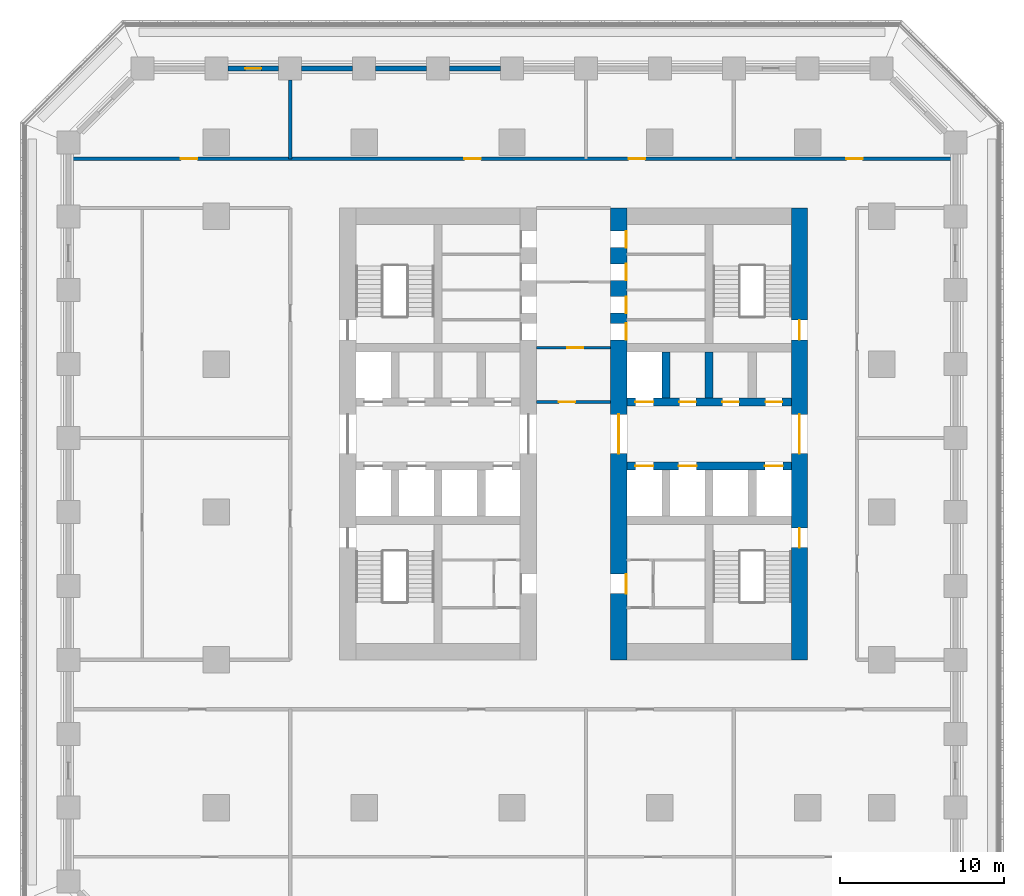
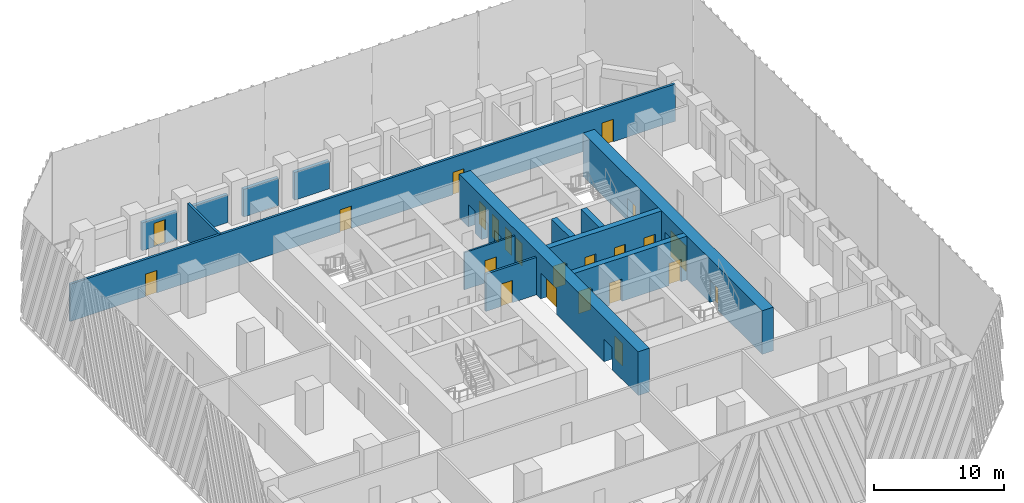
# One storey, part 5 of 12: 23 doors, 14 walls, 23 openings.
"""IFC4 building model written with IfcOpenShell, lengths in metres."""

import ifcopenshell
import ifcopenshell.guid

model = None  # the IFC model being written
_history = None  # IfcOwnerHistory: only IFC2X3 demands one
_inside = {}  # id of a spatial element -> (the spatial element, [elements in it])
_under = {}  # id of a project, library or spatial element -> (it, [spatial elements below it])
_declared = {}  # id of a project -> (the project, [libraries it declares])
_typed = {}  # id of a type object -> (the type object, [elements of that type])
_made_of = {}  # id of a material, layer set ... -> (it, [elements and type objects made of it])


def new_model(schema):
    """Start an empty IFC model of exactly this schema.

    Asked for "IFC4X3", IfcOpenShell would pick the latest addendum, in which some entities
    have other attributes; the version numbers below select the first issue.
    IFC2X3 requires an IfcOwnerHistory on every rooted entity: one is made here for all.
    """
    global model, _history
    if schema == "IFC4X3":
        model = ifcopenshell.file(schema_version=(4, 3, 0, 0))
    else:
        model = ifcopenshell.file(schema=schema)
    _inside.clear()
    _under.clear()
    _declared.clear()
    _typed.clear()
    _made_of.clear()
    _history = None
    if model.schema == "IFC2X3":
        org = make("IfcOrganization", Name="unknown")
        user = make(
            "IfcPersonAndOrganization",
            ThePerson=make("IfcPerson", FamilyName="unknown"),
            TheOrganization=org,
        )
        app = make(
            "IfcApplication",
            ApplicationDeveloper=org,
            Version="unknown",
            ApplicationFullName="unknown",
            ApplicationIdentifier="unknown",
        )
        _history = make(
            "IfcOwnerHistory",
            OwningUser=user,
            OwningApplication=app,
            ChangeAction="ADDED",
            CreationDate=0,
        )
    return model


def make(cls, **values):
    """One entity of the class cls with the attributes given. An attribute that is None is left unset."""
    return model.create_entity(
        cls, **{name: value for name, value in values.items() if value is not None}
    )


def rooted(cls, **values):
    """An entity with a GlobalId (a new one), such as an element, a storey or a relation."""
    return make(cls, GlobalId=ifcopenshell.guid.new(), OwnerHistory=_history, **values)


def si_unit(unit_type, name, prefix=None):
    """IfcSIUnit, for example si_unit("LENGTHUNIT", "METRE", prefix="MILLI")."""
    return make("IfcSIUnit", UnitType=unit_type, Prefix=prefix, Name=name)


def assignment(units):
    """IfcUnitAssignment: the units of a project."""
    return None if units is None else make("IfcUnitAssignment", Units=units)


def point(xyz):
    """IfcCartesianPoint."""
    return None if xyz is None else make("IfcCartesianPoint", Coordinates=xyz)


def direction(xyz):
    """IfcDirection."""
    return None if xyz is None else make("IfcDirection", DirectionRatios=xyz)


def frame(location, z_axis=None, x_axis=None):
    """IfcAxis2Placement3D, a coordinate frame: its origin and axes. An axis left out is left unset."""
    return make(
        "IfcAxis2Placement3D",
        Location=point(location),
        Axis=direction(z_axis),
        RefDirection=direction(x_axis),
    )


def frame_2d(location, x_axis=None):
    """IfcAxis2Placement2D, a coordinate frame in the plane: its origin and x axis."""
    return make(
        "IfcAxis2Placement2D", Location=point(location), RefDirection=direction(x_axis)
    )


def origin():
    """The frame at (0, 0, 0) with its axes left unset."""
    return frame((0.0, 0.0, 0.0))


def place(relative_to, where):
    """IfcLocalPlacement: puts the frame where relative to a parent placement (None: the world)."""
    return make(
        "IfcLocalPlacement", PlacementRelTo=relative_to, RelativePlacement=where
    )


def context(
    kind, dimensions, precision=None, world=None, true_north=None, identifier=None
):
    """IfcGeometricRepresentationContext, for example the 3D "Model" context."""
    return make(
        "IfcGeometricRepresentationContext",
        ContextIdentifier=identifier,
        ContextType=kind,
        CoordinateSpaceDimension=dimensions,
        Precision=precision,
        WorldCoordinateSystem=world,
        TrueNorth=true_north,
    )


def subcontext(parent, identifier, kind, view, scale=None):
    """IfcGeometricRepresentationSubContext, for example "Body" below "Model"."""
    return make(
        "IfcGeometricRepresentationSubContext",
        ContextIdentifier=identifier,
        ContextType=kind,
        ParentContext=parent,
        TargetScale=scale,
        TargetView=view,
    )


def project(units=None, contexts=None):
    """IfcProject with its units and contexts."""
    return rooted(
        "IfcProject",
        Name="project",
        RepresentationContexts=contexts,
        UnitsInContext=assignment(units),
    )


def spatial(cls, under=None, at=None, **own):
    """A site, building, storey or space (cls), placed at a placement, below another one or the project."""
    s = rooted(cls, ObjectPlacement=at, **own)
    if under is not None:
        _under.setdefault(under.id(), (under, []))[1].append(s)
    return s


def profile(cls, at=None, kind="AREA", **sizes):
    """A parametric profile (cls). Its sizes go by their IFC names, for example OverallWidth=200.0."""
    return make(cls, ProfileType=kind, Position=at, **sizes)


def rectangle(**sizes):
    """IfcRectangleProfileDef."""
    return profile("IfcRectangleProfileDef", **sizes)


def extrude(swept, where, along, depth):
    """IfcExtrudedAreaSolid: the profile swept, set in the frame where, extruded along a direction by depth."""
    return make(
        "IfcExtrudedAreaSolid",
        SweptArea=swept,
        Position=where,
        ExtrudedDirection=direction(along),
        Depth=depth,
    )


def shape(context_of_items, identifier, shape_type, items):
    """IfcShapeRepresentation: the items that make up one representation, for example the "Body"."""
    return make(
        "IfcShapeRepresentation",
        ContextOfItems=context_of_items,
        RepresentationIdentifier=identifier,
        RepresentationType=shape_type,
        Items=items,
    )


def material(Name=None, Category=None):
    """IfcMaterial."""
    return make("IfcMaterial", Name=Name, Category=Category)


def layer(
    of_material, thickness, ventilated=None, Name=None, Category=None, Priority=None
):
    """IfcMaterialLayer: one layer of a wall or slab, of a material (None: an air gap)."""
    return make(
        "IfcMaterialLayer",
        Material=of_material,
        LayerThickness=thickness,
        IsVentilated=ventilated,
        Name=Name,
        Category=Category,
        Priority=Priority,
    )


def layer_set(layers, Name=None):
    """IfcMaterialLayerSet."""
    return make("IfcMaterialLayerSet", MaterialLayers=layers, LayerSetName=Name)


def made_of(thing, what):
    """Note that an element or type object is made of a material, layer set ...; save() writes the relation."""
    if what is not None:
        _made_of.setdefault(what.id(), (what, []))[1].append(thing)
    return thing


def type_object(cls, material=None, **own):
    """A type object (cls), such as IfcWallType, which elements share."""
    return made_of(rooted(cls, **own), material)


def element(
    cls,
    number,
    at=None,
    inside=None,
    cuts=None,
    type_object=None,
    material=None,
    context=None,
    identifier="Body",
    shape_type=None,
    held_by="IfcProductDefinitionShape",
    body=None,
    shapes=None,
    **own,
):
    """One element of the class cls, such as IfcWall. Its Tag is "e" and its number.

    at: its placement. inside: the storey or other place that contains it. cuts: it is an
    opening in that element (IfcRelVoidsElement). A single representation is given by context,
    identifier, shape_type and body (its items); several are given by shapes. held_by: the class
    of the entity that holds the representations. save() writes the other relations.
    """
    e = rooted(cls, Tag="e%d" % number, ObjectPlacement=at, **own)
    if body is not None:
        shapes = [shape(context, identifier, shape_type, body)]
    if shapes is not None:
        e.Representation = make(held_by, Representations=shapes)
    if inside is not None:
        _inside.setdefault(inside.id(), (inside, []))[1].append(e)
    if cuts is not None:
        rooted(
            "IfcRelVoidsElement", RelatingBuildingElement=cuts, RelatedOpeningElement=e
        )
    if type_object is not None:
        _typed.setdefault(type_object.id(), (type_object, []))[1].append(e)
    return made_of(e, material)


def fill(opening, filler):
    """IfcRelFillsElement: the door or window that sits in an opening."""
    return rooted(
        "IfcRelFillsElement",
        RelatingOpeningElement=opening,
        RelatedBuildingElement=filler,
    )


def aggregate(whole, parts):
    """IfcRelAggregates: a whole, such as a stair, and the parts it consists of."""
    return rooted("IfcRelAggregates", RelatingObject=whole, RelatedObjects=parts)


def save(model, path):
    """Write the relations noted so far, then the file.

    IfcRelAggregates (storeys below a building ...), IfcRelContainedInSpatialStructure (elements
    in a storey), IfcRelDefinesByType, IfcRelAssociatesMaterial and IfcRelDeclares: one each for
    every whole, place, type object, material and project.
    """
    for whole, parts in _under.values():
        aggregate(whole, parts)
    for where, things in _inside.values():
        rooted(
            "IfcRelContainedInSpatialStructure",
            RelatedElements=things,
            RelatingStructure=where,
        )
    for kind, things in _typed.values():
        rooted("IfcRelDefinesByType", RelatedObjects=things, RelatingType=kind)
    for what, things in _made_of.values():
        rooted("IfcRelAssociatesMaterial", RelatedObjects=things, RelatingMaterial=what)
    for by, libraries in _declared.values():
        rooted("IfcRelDeclares", RelatingContext=by, RelatedDefinitions=libraries)
    model.write(path)


model = new_model("IFC4")

# Units and contexts
model_context = context("Model", 3, precision=1e-05, world=origin(), true_north=direction((0.0, 1.0)))
body_context = subcontext(model_context, "Body", "Model", "MODEL_VIEW")
ifc_project = project(units=[si_unit("LENGTHUNIT", "METRE"), si_unit("AREAUNIT", "SQUARE_METRE"), si_unit("VOLUMEUNIT", "CUBIC_METRE"), si_unit("PLANEANGLEUNIT", "RADIAN"), si_unit("MASSUNIT", "GRAM", prefix="KILO")], contexts=[model_context])

# Site, building, storey
site_placement = place(None, origin())
site = spatial("IfcSite", under=ifc_project, at=site_placement, CompositionType="ELEMENT")
building_placement = place(site_placement, origin())
building = spatial("IfcBuilding", under=site, at=building_placement, Name="Corbel Stack Research Tower", CompositionType="ELEMENT")
storey_placement = place(building_placement, frame((0.0, 0.0, 31.800048828125)))
storey = spatial("IfcBuildingStorey", under=building, at=storey_placement, Name="L07", CompositionType="ELEMENT", Elevation=31.800048828125)

# Wall, openings, doors
ifc_material_1 = material(Name="Concrete C70/85", Category="concrete")
ifc_layer_1 = layer(ifc_material_1, 1.0)
ifc_layer_set_1 = layer_set([ifc_layer_1], Name="Concrete C70/85")
wall_type_1 = type_object("IfcWallType", Name="CW-1000-70", PredefinedType="SHEAR", material=ifc_layer_set_1)
wall_1_placement = place(storey_placement, frame((6.5, -9.0, 0.0), z_axis=(0.0, 0.0, 1.0), x_axis=(0.0, 1.0, 0.0)))
wall_1 = element("IfcWall", 1, at=wall_1_placement, inside=storey, type_object=wall_type_1, Name="East core wall, west face L07", PredefinedType="SHEAR", context=body_context, shape_type="SweptSolid", body=[
    extrude(rectangle(XDim=27.5, YDim=1.0, at=frame_2d((13.75, 0.0))), origin(), (0.0, 0.0, 1.0), 4.099853515625),
])
opening_1_placement = place(wall_1_placement, frame((12.550048828125, 0.0, 0.0)))
opening_1 = element("IfcOpeningElement", 2, at=opening_1_placement, cuts=wall_1, Name="Opening CD-E-W", PredefinedType="OPENING", context=body_context, shape_type="SweptSolid", body=[
    extrude(rectangle(XDim=2.39990234375, YDim=2.39990234375, at=frame_2d((1.199951171875, 1.199951171875))), frame((0.0, 0.510009765625, 0.0), z_axis=(0.0, -1.0, 0.0), x_axis=(1.0, 0.0, 0.0)), (0.0, 0.0, 1.0), 1.02001953125),
])
opening_2_placement = place(wall_1_placement, frame((4.02490234375, 0.0, 0.0)))
opening_2 = element("IfcOpeningElement", 3, at=opening_2_placement, cuts=wall_1, Name="Opening CR-E36-W1-1200", PredefinedType="OPENING", context=body_context, shape_type="SweptSolid", body=[
    extrude(rectangle(XDim=1.199951171875, YDim=2.10009765625, at=frame_2d((0.60009765625, 1.050048828125))), frame((0.0, 0.510009765625, 0.0), z_axis=(0.0, -1.0, 0.0), x_axis=(1.0, 0.0, 0.0)), (0.0, 0.0, 1.0), 1.02001953125),
])
opening_3_placement = place(wall_1_placement, frame((19.47509765625, 0.0, 0.0)))
opening_3 = element("IfcOpeningElement", 4, at=opening_3_placement, cuts=wall_1, Name="Opening CR-E36-R1-1000", PredefinedType="OPENING", context=body_context, shape_type="SweptSolid", body=[
    extrude(rectangle(XDim=1.0, YDim=2.10009765625, at=frame_2d((0.5, 1.050048828125))), frame((0.0, 0.510009765625, 0.0), z_axis=(0.0, -1.0, 0.0), x_axis=(1.0, 0.0, 0.0)), (0.0, 0.0, 1.0), 1.02001953125),
])
opening_4_placement = place(wall_1_placement, frame((21.106201171875, 0.0, 0.0)))
opening_4 = element("IfcOpeningElement", 5, at=opening_4_placement, cuts=wall_1, Name="Opening CR-E36-R2-1000", PredefinedType="OPENING", context=body_context, shape_type="SweptSolid", body=[
    extrude(rectangle(XDim=1.0, YDim=2.10009765625, at=frame_2d((0.5, 1.050048828125))), frame((0.0, 0.510009765625, 0.0), z_axis=(0.0, -1.0, 0.0), x_axis=(1.0, 0.0, 0.0)), (0.0, 0.0, 1.0), 1.02001953125),
])
opening_5_placement = place(wall_1_placement, frame((23.10009765625, 0.0, 0.0)))
opening_5 = element("IfcOpeningElement", 6, at=opening_5_placement, cuts=wall_1, Name="Opening CR-E36-R3-1000", PredefinedType="OPENING", context=body_context, shape_type="SweptSolid", body=[
    extrude(rectangle(XDim=1.0, YDim=2.10009765625, at=frame_2d((0.5, 1.050048828125))), frame((0.0, 0.510009765625, 0.0), z_axis=(0.0, -1.0, 0.0), x_axis=(1.0, 0.0, 0.0)), (0.0, 0.0, 1.0), 1.02001953125),
])
opening_6_placement = place(wall_1_placement, frame((25.09375, 0.0, 0.0)))
opening_6 = element("IfcOpeningElement", 7, at=opening_6_placement, cuts=wall_1, Name="Opening CR-E36-R4-1000", PredefinedType="OPENING", context=body_context, shape_type="SweptSolid", body=[
    extrude(rectangle(XDim=1.0, YDim=2.10009765625, at=frame_2d((0.5, 1.050048828125))), frame((0.0, 0.510009765625, 0.0), z_axis=(0.0, -1.0, 0.0), x_axis=(1.0, 0.0, 0.0)), (0.0, 0.0, 1.0), 1.02001953125),
])
ifc_material_2 = material(Name="Painted steel fire door", Category="steel")
door_type_1 = type_object("IfcDoorType", Name="Lobby door pair 2400 x 2400 FD30S", OperationType="DOUBLE_DOOR_DOUBLE_SWING", PredefinedType="DOOR", material=ifc_material_2)
door_1_placement = place(opening_1_placement, origin())
door_1 = element("IfcDoor", 8, at=door_1_placement, inside=storey, type_object=door_type_1, Name="Lift lobby door E core W", OperationType="DOUBLE_DOOR_DOUBLE_SWING", OverallHeight=2.39990234375, OverallWidth=2.39990234375, PredefinedType="DOOR", context=body_context, shape_type="SweptSolid", body=[
    extrude(rectangle(XDim=2.39990234375, YDim=2.39990234375, at=frame_2d((1.199951171875, 1.199951171875))), frame((0.0, 0.02490234375, 0.0), z_axis=(0.0, -1.0, 0.0), x_axis=(1.0, 0.0, 0.0)), (0.0, 0.0, 1.0), 0.050048828125),
])
fill(opening_1, door_1)
ifc_material_3 = material(Name="Painted steel door", Category="steel")
door_type_2 = type_object("IfcDoorType", Name="Riser door 1000 x 2100 FD60 left hand", OperationType="SINGLE_SWING_LEFT", PredefinedType="DOOR", material=ifc_material_3)
door_2_placement = place(opening_4_placement, origin())
door_2 = element("IfcDoor", 9, at=door_2_placement, inside=storey, type_object=door_type_2, Name="Telecom room door E core", OperationType="SINGLE_SWING_LEFT", OverallHeight=2.10009765625, OverallWidth=1.0, PredefinedType="DOOR", context=body_context, shape_type="SweptSolid", body=[
    extrude(rectangle(XDim=1.0, YDim=2.10009765625, at=frame_2d((0.5, 1.050048828125))), frame((0.0, -0.4248046875, 0.0), z_axis=(0.0, -1.0, 0.0), x_axis=(1.0, 0.0, 0.0)), (0.0, 0.0, 1.0), 0.050048828125),
])
fill(opening_4, door_2)
ifc_material_4 = material(Name="Painted steel door", Category="steel")
door_type_3 = type_object("IfcDoorType", Name="Riser door 1000 x 2100 FD60 right hand", OperationType="SINGLE_SWING_RIGHT", PredefinedType="DOOR", material=ifc_material_4)
door_3_placement = place(opening_3_placement, origin())
door_3 = element("IfcDoor", 10, at=door_3_placement, inside=storey, type_object=door_type_3, Name="Electrical riser door E core", OperationType="SINGLE_SWING_RIGHT", OverallHeight=2.10009765625, OverallWidth=1.0, PredefinedType="DOOR", context=body_context, shape_type="SweptSolid", body=[
    extrude(rectangle(XDim=1.0, YDim=2.10009765625, at=frame_2d((0.5, 1.050048828125))), frame((0.0, -0.4248046875, 0.0), z_axis=(0.0, -1.0, 0.0), x_axis=(1.0, 0.0, 0.0)), (0.0, 0.0, 1.0), 0.050048828125),
])
fill(opening_3, door_3)
ifc_material_5 = material(Name="Painted steel door", Category="steel")
door_type_4 = type_object("IfcDoorType", Name="Service door 1000 x 2100 FD30 left hand", OperationType="SINGLE_SWING_LEFT", PredefinedType="DOOR", material=ifc_material_5)
door_4_placement = place(opening_6_placement, origin())
door_4 = element("IfcDoor", 11, at=door_4_placement, inside=storey, type_object=door_type_4, Name="Cleaner's store door E core", OperationType="SINGLE_SWING_LEFT", OverallHeight=2.10009765625, OverallWidth=1.0, PredefinedType="DOOR", context=body_context, shape_type="SweptSolid", body=[
    extrude(rectangle(XDim=1.0, YDim=2.10009765625, at=frame_2d((0.5, 1.050048828125))), frame((0.0, -0.4248046875, 0.0), z_axis=(0.0, -1.0, 0.0), x_axis=(1.0, 0.0, 0.0)), (0.0, 0.0, 1.0), 0.050048828125),
])
fill(opening_6, door_4)
ifc_material_6 = material(Name="Painted steel door", Category="steel")
door_type_5 = type_object("IfcDoorType", Name="Service door 1000 x 2100 FD30 right hand", OperationType="SINGLE_SWING_RIGHT", PredefinedType="DOOR", material=ifc_material_6)
door_5_placement = place(opening_5_placement, origin())
door_5 = element("IfcDoor", 12, at=door_5_placement, inside=storey, type_object=door_type_5, Name="Pantry door E core", OperationType="SINGLE_SWING_RIGHT", OverallHeight=2.10009765625, OverallWidth=1.0, PredefinedType="DOOR", context=body_context, shape_type="SweptSolid", body=[
    extrude(rectangle(XDim=1.0, YDim=2.10009765625, at=frame_2d((0.5, 1.050048828125))), frame((0.0, -0.4248046875, 0.0), z_axis=(0.0, -1.0, 0.0), x_axis=(1.0, 0.0, 0.0)), (0.0, 0.0, 1.0), 0.050048828125),
])
fill(opening_5, door_5)
ifc_material_7 = material(Name="Painted timber door", Category="wood")
door_type_6 = type_object("IfcDoorType", Name="WC door 1200 x 2100 right hand", OperationType="SINGLE_SWING_RIGHT", PredefinedType="DOOR", material=ifc_material_7)
door_6_placement = place(opening_2_placement, origin())
door_6 = element("IfcDoor", 13, at=door_6_placement, inside=storey, type_object=door_type_6, Name="WC lobby door E core", OperationType="SINGLE_SWING_RIGHT", OverallHeight=2.10009765625, OverallWidth=1.199951171875, PredefinedType="DOOR", context=body_context, shape_type="SweptSolid", body=[
    extrude(rectangle(XDim=1.199951171875, YDim=2.10009765625, at=frame_2d((0.60009765625, 1.050048828125))), frame((0.0, -0.4248046875, 0.0), z_axis=(0.0, -1.0, 0.0), x_axis=(1.0, 0.0, 0.0)), (0.0, 0.0, 1.0), 0.050048828125),
])
fill(opening_2, door_6)

wall_2_placement = place(storey_placement, frame((17.5, -9.0, 0.0), z_axis=(0.0, 0.0, 1.0), x_axis=(0.0, 1.0, 0.0)))
wall_2 = element("IfcWall", 14, at=wall_2_placement, inside=storey, type_object=wall_type_1, Name="East core wall, east face L07", PredefinedType="SHEAR", context=body_context, shape_type="SweptSolid", body=[
    extrude(rectangle(XDim=27.5, YDim=1.0, at=frame_2d((13.75, 0.0))), origin(), (0.0, 0.0, 1.0), 4.099853515625),
])
opening_7_placement = place(wall_2_placement, frame((12.550048828125, 0.0, 0.0)))
opening_7 = element("IfcOpeningElement", 15, at=opening_7_placement, cuts=wall_2, Name="Opening CD-E-E", PredefinedType="OPENING", context=body_context, shape_type="SweptSolid", body=[
    extrude(rectangle(XDim=2.39990234375, YDim=2.39990234375, at=frame_2d((1.199951171875, 1.199951171875))), frame((0.0, 0.510009765625, 0.0), z_axis=(0.0, -1.0, 0.0), x_axis=(1.0, 0.0, 0.0)), (0.0, 0.0, 1.0), 1.02001953125),
])
opening_8_placement = place(wall_2_placement, frame((6.824951171875, 0.0, 0.0)))
opening_8 = element("IfcOpeningElement", 16, at=opening_8_placement, cuts=wall_2, Name="Opening SD-ST-E1", PredefinedType="OPENING", context=body_context, shape_type="SweptSolid", body=[
    extrude(rectangle(XDim=1.199951171875, YDim=2.10009765625, at=frame_2d((0.60009765625, 1.050048828125))), frame((0.0, 0.510009765625, 0.0), z_axis=(0.0, -1.0, 0.0), x_axis=(1.0, 0.0, 0.0)), (0.0, 0.0, 1.0), 1.02001953125),
])
opening_9_placement = place(wall_2_placement, frame((19.47509765625, 0.0, 0.0)))
opening_9 = element("IfcOpeningElement", 17, at=opening_9_placement, cuts=wall_2, Name="Opening SD-ST-E2", PredefinedType="OPENING", context=body_context, shape_type="SweptSolid", body=[
    extrude(rectangle(XDim=1.199951171875, YDim=2.10009765625, at=frame_2d((0.60009765625, 1.050048828125))), frame((0.0, 0.510009765625, 0.0), z_axis=(0.0, -1.0, 0.0), x_axis=(1.0, 0.0, 0.0)), (0.0, 0.0, 1.0), 1.02001953125),
])
door_7_placement = place(opening_7_placement, origin())
door_7 = element("IfcDoor", 18, at=door_7_placement, inside=storey, type_object=door_type_1, Name="Lift lobby door E core E", OperationType="DOUBLE_DOOR_DOUBLE_SWING", OverallHeight=2.39990234375, OverallWidth=2.39990234375, PredefinedType="DOOR", context=body_context, shape_type="SweptSolid", body=[
    extrude(rectangle(XDim=2.39990234375, YDim=2.39990234375, at=frame_2d((1.199951171875, 1.199951171875))), frame((0.0, 0.02490234375, 0.0), z_axis=(0.0, -1.0, 0.0), x_axis=(1.0, 0.0, 0.0)), (0.0, 0.0, 1.0), 0.050048828125),
])
fill(opening_7, door_7)
ifc_material_8 = material(Name="Painted steel fire door", Category="steel")
door_type_7 = type_object("IfcDoorType", Name="Stair door 1200 x 2100 FD90 right hand", OperationType="SINGLE_SWING_RIGHT", PredefinedType="DOOR", material=ifc_material_8)
door_8_placement = place(opening_8_placement, frame((1.199951171875, 0.0, 0.0), z_axis=(0.0, 0.0, 1.0), x_axis=(-1.0, 0.0, 0.0)))
door_8 = element("IfcDoor", 19, at=door_8_placement, inside=storey, type_object=door_type_7, Name="Stair door ST-E1", OperationType="SINGLE_SWING_LEFT", OverallHeight=2.10009765625, OverallWidth=1.199951171875, PredefinedType="DOOR", context=body_context, shape_type="SweptSolid", body=[
    extrude(rectangle(XDim=1.199951171875, YDim=2.10009765625, at=frame_2d((0.60009765625, 1.050048828125))), frame((0.0, 0.02490234375, 0.0), z_axis=(0.0, -1.0, 0.0), x_axis=(1.0, 0.0, 0.0)), (0.0, 0.0, 1.0), 0.050048828125),
])
fill(opening_8, door_8)
door_9_placement = place(opening_9_placement, frame((1.199951171875, 0.0, 0.0), z_axis=(0.0, 0.0, 1.0), x_axis=(-1.0, 0.0, 0.0)))
door_9 = element("IfcDoor", 20, at=door_9_placement, inside=storey, type_object=door_type_7, Name="Stair door ST-E2", OperationType="SINGLE_SWING_LEFT", OverallHeight=2.10009765625, OverallWidth=1.199951171875, PredefinedType="DOOR", context=body_context, shape_type="SweptSolid", body=[
    extrude(rectangle(XDim=1.199951171875, YDim=2.10009765625, at=frame_2d((0.60009765625, 1.050048828125))), frame((0.0, 0.02490234375, 0.0), z_axis=(0.0, -1.0, 0.0), x_axis=(1.0, 0.0, 0.0)), (0.0, 0.0, 1.0), 0.050048828125),
])
fill(opening_9, door_9)

ifc_material_9 = material(Name="Concrete C70/85", Category="concrete")
ifc_layer_2 = layer(ifc_material_9, 0.5)
ifc_layer_set_2 = layer_set([ifc_layer_2], Name="Concrete C70/85")
wall_type_2 = type_object("IfcWallType", Name="CW-500-70", PredefinedType="SHEAR", material=ifc_layer_set_2)
wall_3_placement = place(storey_placement, frame((7.0, 2.800048828125, 0.0), z_axis=(0.0, 0.0, 1.0), x_axis=(1.0, 0.0, 0.0)))
wall_3 = element("IfcWall", 21, at=wall_3_placement, inside=storey, type_object=wall_type_2, Name="East core wall, lobby south L07", PredefinedType="SHEAR", context=body_context, shape_type="SweptSolid", body=[
    extrude(rectangle(XDim=10.0, YDim=0.5, at=frame_2d((5.0, 0.0))), origin(), (0.0, 0.0, 1.0), 4.099853515625),
])
opening_10_placement = place(wall_3_placement, frame((0.512451171875, 0.0, 0.0)))
opening_10 = element("IfcOpeningElement", 22, at=opening_10_placement, cuts=wall_3, Name="Opening LD-FS2", PredefinedType="OPENING", context=body_context, shape_type="SweptSolid", body=[
    extrude(rectangle(XDim=1.10009765625, YDim=2.10009765625, at=frame_2d((0.550048828125, 1.050048828125))), frame((0.0, 0.260009765625, 0.0), z_axis=(0.0, -1.0, 0.0), x_axis=(1.0, 0.0, 0.0)), (0.0, 0.0, 1.0), 0.52001953125),
])
opening_11_placement = place(wall_3_placement, frame((3.137451171875, 0.0, 0.0)))
opening_11 = element("IfcOpeningElement", 23, at=opening_11_placement, cuts=wall_3, Name="Opening LD-GL2", PredefinedType="OPENING", context=body_context, shape_type="SweptSolid", body=[
    extrude(rectangle(XDim=1.10009765625, YDim=2.10009765625, at=frame_2d((0.550048828125, 1.050048828125))), frame((0.0, 0.260009765625, 0.0), z_axis=(0.0, -1.0, 0.0), x_axis=(1.0, 0.0, 0.0)), (0.0, 0.0, 1.0), 0.52001953125),
])
opening_12_placement = place(wall_3_placement, frame((8.387451171875, 0.0, 0.0)))
opening_12 = element("IfcOpeningElement", 24, at=opening_12_placement, cuts=wall_3, Name="Opening LD-LR3", PredefinedType="OPENING", context=body_context, shape_type="SweptSolid", body=[
    extrude(rectangle(XDim=1.10009765625, YDim=2.10009765625, at=frame_2d((0.550048828125, 1.050048828125))), frame((0.0, 0.260009765625, 0.0), z_axis=(0.0, -1.0, 0.0), x_axis=(1.0, 0.0, 0.0)), (0.0, 0.0, 1.0), 0.52001953125),
])
ifc_material_10 = material(Name="Stainless steel landing door", Category="steel")
door_type_8 = type_object("IfcDoorType", Name="Lift landing door 1100 x 2100", OperationType="DOUBLE_DOOR_SLIDING", PredefinedType="DOOR", material=ifc_material_10)
door_10_placement = place(opening_10_placement, origin())
door_10 = element("IfcDoor", 25, at=door_10_placement, inside=storey, type_object=door_type_8, Name="Landing door FS2", OperationType="DOUBLE_DOOR_SLIDING", OverallHeight=2.10009765625, OverallWidth=1.10009765625, PredefinedType="DOOR", context=body_context, shape_type="SweptSolid", body=[
    extrude(rectangle(XDim=1.10009765625, YDim=2.10009765625, at=frame_2d((0.550048828125, 1.050048828125))), frame((0.0, 0.02490234375, 0.0), z_axis=(0.0, -1.0, 0.0), x_axis=(1.0, 0.0, 0.0)), (0.0, 0.0, 1.0), 0.050048828125),
])
fill(opening_10, door_10)
door_11_placement = place(opening_11_placement, origin())
door_11 = element("IfcDoor", 26, at=door_11_placement, inside=storey, type_object=door_type_8, Name="Landing door GL2", OperationType="DOUBLE_DOOR_SLIDING", OverallHeight=2.10009765625, OverallWidth=1.10009765625, PredefinedType="DOOR", context=body_context, shape_type="SweptSolid", body=[
    extrude(rectangle(XDim=1.10009765625, YDim=2.10009765625, at=frame_2d((0.550048828125, 1.050048828125))), frame((0.0, 0.02490234375, 0.0), z_axis=(0.0, -1.0, 0.0), x_axis=(1.0, 0.0, 0.0)), (0.0, 0.0, 1.0), 0.050048828125),
])
fill(opening_11, door_11)
door_12_placement = place(opening_12_placement, origin())
door_12 = element("IfcDoor", 27, at=door_12_placement, inside=storey, type_object=door_type_8, Name="Landing door LR3", OperationType="DOUBLE_DOOR_SLIDING", OverallHeight=2.10009765625, OverallWidth=1.10009765625, PredefinedType="DOOR", context=body_context, shape_type="SweptSolid", body=[
    extrude(rectangle(XDim=1.10009765625, YDim=2.10009765625, at=frame_2d((0.550048828125, 1.050048828125))), frame((0.0, 0.02490234375, 0.0), z_axis=(0.0, -1.0, 0.0), x_axis=(1.0, 0.0, 0.0)), (0.0, 0.0, 1.0), 0.050048828125),
])
fill(opening_12, door_12)

wall_4_placement = place(storey_placement, frame((7.0, 6.699951171875, 0.0), z_axis=(0.0, 0.0, 1.0), x_axis=(1.0, 0.0, 0.0)))
wall_4 = element("IfcWall", 28, at=wall_4_placement, inside=storey, type_object=wall_type_2, Name="East core wall, lobby north L07", PredefinedType="SHEAR", context=body_context, shape_type="SweptSolid", body=[
    extrude(rectangle(XDim=10.0, YDim=0.5, at=frame_2d((5.0, 0.0))), origin(), (0.0, 0.0, 1.0), 4.099853515625),
])
opening_13_placement = place(wall_4_placement, frame((0.512451171875, 0.0, 0.0)))
opening_13 = element("IfcOpeningElement", 29, at=opening_13_placement, cuts=wall_4, Name="Opening LD-LR4", PredefinedType="OPENING", context=body_context, shape_type="SweptSolid", body=[
    extrude(rectangle(XDim=1.10009765625, YDim=2.10009765625, at=frame_2d((0.550048828125, 1.050048828125))), frame((0.0, 0.260009765625, 0.0), z_axis=(0.0, -1.0, 0.0), x_axis=(1.0, 0.0, 0.0)), (0.0, 0.0, 1.0), 0.52001953125),
])
opening_14_placement = place(wall_4_placement, frame((3.1875, 0.0, 0.0)))
opening_14 = element("IfcOpeningElement", 30, at=opening_14_placement, cuts=wall_4, Name="Opening CR-E36-N2", PredefinedType="OPENING", context=body_context, shape_type="SweptSolid", body=[
    extrude(rectangle(XDim=1.0, YDim=2.10009765625, at=frame_2d((0.5, 1.050048828125))), frame((0.0, 0.260009765625, 0.0), z_axis=(0.0, -1.0, 0.0), x_axis=(1.0, 0.0, 0.0)), (0.0, 0.0, 1.0), 0.52001953125),
])
opening_15_placement = place(wall_4_placement, frame((5.8125, 0.0, 0.0)))
opening_15 = element("IfcOpeningElement", 31, at=opening_15_placement, cuts=wall_4, Name="Opening CR-E36-N3", PredefinedType="OPENING", context=body_context, shape_type="SweptSolid", body=[
    extrude(rectangle(XDim=1.0, YDim=2.10009765625, at=frame_2d((0.5, 1.050048828125))), frame((0.0, 0.260009765625, 0.0), z_axis=(0.0, -1.0, 0.0), x_axis=(1.0, 0.0, 0.0)), (0.0, 0.0, 1.0), 0.52001953125),
])
opening_16_placement = place(wall_4_placement, frame((8.4375, 0.0, 0.0)))
opening_16 = element("IfcOpeningElement", 32, at=opening_16_placement, cuts=wall_4, Name="Opening CR-E36-N4", PredefinedType="OPENING", context=body_context, shape_type="SweptSolid", body=[
    extrude(rectangle(XDim=1.0, YDim=2.10009765625, at=frame_2d((0.5, 1.050048828125))), frame((0.0, 0.260009765625, 0.0), z_axis=(0.0, -1.0, 0.0), x_axis=(1.0, 0.0, 0.0)), (0.0, 0.0, 1.0), 0.52001953125),
])
door_13_placement = place(opening_13_placement, origin())
door_13 = element("IfcDoor", 33, at=door_13_placement, inside=storey, type_object=door_type_8, Name="Landing door LR4", OperationType="DOUBLE_DOOR_SLIDING", OverallHeight=2.10009765625, OverallWidth=1.10009765625, PredefinedType="DOOR", context=body_context, shape_type="SweptSolid", body=[
    extrude(rectangle(XDim=1.10009765625, YDim=2.10009765625, at=frame_2d((0.550048828125, 1.050048828125))), frame((0.0, 0.02490234375, 0.0), z_axis=(0.0, -1.0, 0.0), x_axis=(1.0, 0.0, 0.0)), (0.0, 0.0, 1.0), 0.050048828125),
])
fill(opening_13, door_13)
ifc_material_11 = material(Name="Painted steel door", Category="steel")
door_type_9 = type_object("IfcDoorType", Name="Service door 1000 x 2100 FD60 left hand", OperationType="SINGLE_SWING_LEFT", PredefinedType="DOOR", material=ifc_material_11)
door_14_placement = place(opening_15_placement, origin())
door_14 = element("IfcDoor", 34, at=door_14_placement, inside=storey, type_object=door_type_9, Name="Cleaner's store door E core", OperationType="SINGLE_SWING_LEFT", OverallHeight=2.10009765625, OverallWidth=1.0, PredefinedType="DOOR", context=body_context, shape_type="SweptSolid", body=[
    extrude(rectangle(XDim=1.0, YDim=2.10009765625, at=frame_2d((0.5, 1.050048828125))), frame((0.0, 0.02490234375, 0.0), z_axis=(0.0, -1.0, 0.0), x_axis=(1.0, 0.0, 0.0)), (0.0, 0.0, 1.0), 0.050048828125),
])
fill(opening_15, door_14)
ifc_material_12 = material(Name="Painted steel door", Category="steel")
door_type_10 = type_object("IfcDoorType", Name="Service door 1000 x 2100 FD60 right hand", OperationType="SINGLE_SWING_RIGHT", PredefinedType="DOOR", material=ifc_material_12)
door_15_placement = place(opening_14_placement, origin())
door_15 = element("IfcDoor", 35, at=door_15_placement, inside=storey, type_object=door_type_10, Name="Laboratory consumables store door E core", OperationType="SINGLE_SWING_RIGHT", OverallHeight=2.10009765625, OverallWidth=1.0, PredefinedType="DOOR", context=body_context, shape_type="SweptSolid", body=[
    extrude(rectangle(XDim=1.0, YDim=2.10009765625, at=frame_2d((0.5, 1.050048828125))), frame((0.0, 0.02490234375, 0.0), z_axis=(0.0, -1.0, 0.0), x_axis=(1.0, 0.0, 0.0)), (0.0, 0.0, 1.0), 0.050048828125),
])
fill(opening_14, door_15)
door_16_placement = place(opening_16_placement, origin())
door_16 = element("IfcDoor", 36, at=door_16_placement, inside=storey, type_object=door_type_10, Name="Vending bay door E core", OperationType="SINGLE_SWING_RIGHT", OverallHeight=2.10009765625, OverallWidth=1.0, PredefinedType="DOOR", context=body_context, shape_type="SweptSolid", body=[
    extrude(rectangle(XDim=1.0, YDim=2.10009765625, at=frame_2d((0.5, 1.050048828125))), frame((0.0, 0.02490234375, 0.0), z_axis=(0.0, -1.0, 0.0), x_axis=(1.0, 0.0, 0.0)), (0.0, 0.0, 1.0), 0.050048828125),
])
fill(opening_16, door_16)

# Walls
for number, where, z_axis, x_axis, name in (
    (37, (9.375, 6.949951171875, 0.0), (0.0, 0.0, 1.0), (0.0, 1.0, 0.0), "East core wall, north shaft 1 L07"),
    (38, (12.0, 6.949951171875, 0.0), (0.0, 0.0, 1.0), (0.0, 1.0, 0.0), "East core wall, north shaft 2 L07"),
):
    element("IfcWall", number, at=place(storey_placement, frame(where, z_axis=z_axis, x_axis=x_axis)), inside=storey, type_object=wall_type_2, Name=name, PredefinedType="SHEAR", context=body_context, shape_type="SweptSolid", body=[
        extrude(rectangle(XDim=2.800048828125, YDim=0.5, at=frame_2d((1.39990234375, 0.0))), origin(), (0.0, 0.0, 1.0), 4.099853515625),
    ])
ifc_material_13 = material(Name="Fire-rated gypsum board partition on steel studs", Category="steel")
ifc_layer_3 = layer(ifc_material_13, 0.199951171875)
ifc_layer_set_3 = layer_set([ifc_layer_3], Name="Fire-rated gypsum board partition on steel studs")
wall_type_3 = type_object("IfcWallType", Name="Fire-rated partition 200 EI 60", PredefinedType="PARTITIONING", material=ifc_layer_set_3)
wall_5_placement = place(storey_placement, frame((-13.5, 21.5, 0.0), z_axis=(0.0, 0.0, 1.0), x_axis=(0.0, 1.0, 0.0)))
element("IfcWall", 39, at=wall_5_placement, inside=storey, type_object=wall_type_3, Name="Partition L07-004", PredefinedType="PARTITIONING", context=body_context, shape_type="SweptSolid", body=[
    extrude(rectangle(XDim=4.800048828125, YDim=0.199951171875, at=frame_2d((2.39990234375, 0.0))), origin(), (0.0, 0.0, 1.0), 3.5),
])

# Wall, opening, door
wall_6_placement = place(storey_placement, frame((1.5, 6.699951171875, 0.0), z_axis=(0.0, 0.0, 1.0), x_axis=(1.0, 0.0, 0.0)))
wall_6 = element("IfcWall", 40, at=wall_6_placement, inside=storey, type_object=wall_type_3, Name="Partition L07-018", PredefinedType="PARTITIONING", context=body_context, shape_type="SweptSolid", body=[
    extrude(rectangle(XDim=4.5, YDim=0.199951171875, at=frame_2d((2.25, 0.0))), origin(), (0.0, 0.0, 1.0), 3.5),
])
opening_17_placement = place(wall_6_placement, frame((1.35009765625, 0.0, 0.0)))
opening_17 = element("IfcOpeningElement", 41, at=opening_17_placement, cuts=wall_6, Name="Opening B1V2-013", PredefinedType="OPENING", context=body_context, shape_type="SweptSolid", body=[
    extrude(rectangle(XDim=1.0, YDim=2.10009765625, at=frame_2d((0.5, 1.050048828125))), frame((0.0, 0.10986328125, 0.0), z_axis=(0.0, -1.0, 0.0), x_axis=(1.0, 0.0, 0.0)), (0.0, 0.0, 1.0), 0.219970703125),
])
ifc_material_14 = material(Name="Painted steel fire door", Category="steel")
door_type_11 = type_object("IfcDoorType", Name="Fire door FD30S 1000 x 2100", OperationType="NOTDEFINED", PredefinedType="DOOR", material=ifc_material_14)
door_17_placement = place(opening_17_placement, origin())
door_17 = element("IfcDoor", 42, at=door_17_placement, inside=storey, type_object=door_type_11, Name="Door B1V2-013", OperationType="SINGLE_SWING_LEFT", OverallHeight=2.10009765625, OverallWidth=1.0, PredefinedType="DOOR", context=body_context, shape_type="SweptSolid", body=[
    extrude(rectangle(XDim=1.0, YDim=2.10009765625, at=frame_2d((0.5, 1.050048828125))), frame((0.0, 0.02490234375, 0.0), z_axis=(0.0, -1.0, 0.0), x_axis=(1.0, 0.0, 0.0)), (0.0, 0.0, 1.0), 0.050048828125),
])
fill(opening_17, door_17)

# Wall, openings, doors
wall_7_placement = place(storey_placement, frame((-26.85009765625, 21.5, 0.0), z_axis=(0.0, 0.0, 1.0), x_axis=(1.0, 0.0, 0.0)))
wall_7 = element("IfcWall", 43, at=wall_7_placement, inside=storey, type_object=wall_type_3, Name="Partition L07-026", PredefinedType="PARTITIONING", context=body_context, shape_type="SweptSolid", body=[
    extrude(rectangle(XDim=53.7001953125, YDim=0.199951171875, at=frame_2d((26.85009765625, 0.0))), origin(), (0.0, 0.0, 1.0), 3.5),
])
opening_18_placement = place(wall_7_placement, frame((6.699951171875, 0.0, 0.0)))
opening_18 = element("IfcOpeningElement", 44, at=opening_18_placement, cuts=wall_7, Name="Opening B1V2-018", PredefinedType="OPENING", context=body_context, shape_type="SweptSolid", body=[
    extrude(rectangle(XDim=1.0, YDim=2.10009765625, at=frame_2d((0.5, 1.050048828125))), frame((0.0, 0.10986328125, 0.0), z_axis=(0.0, -1.0, 0.0), x_axis=(1.0, 0.0, 0.0)), (0.0, 0.0, 1.0), 0.219970703125),
])
opening_19_placement = place(wall_7_placement, frame((23.949951171875, 0.0, 0.0)))
opening_19 = element("IfcOpeningElement", 45, at=opening_19_placement, cuts=wall_7, Name="Opening B1V2-019", PredefinedType="OPENING", context=body_context, shape_type="SweptSolid", body=[
    extrude(rectangle(XDim=1.0, YDim=2.10009765625, at=frame_2d((0.5, 1.050048828125))), frame((0.0, 0.10986328125, 0.0), z_axis=(0.0, -1.0, 0.0), x_axis=(1.0, 0.0, 0.0)), (0.0, 0.0, 1.0), 0.219970703125),
])
opening_20_placement = place(wall_7_placement, frame((33.949951171875, 0.0, 0.0)))
opening_20 = element("IfcOpeningElement", 46, at=opening_20_placement, cuts=wall_7, Name="Opening B1V2-020", PredefinedType="OPENING", context=body_context, shape_type="SweptSolid", body=[
    extrude(rectangle(XDim=1.0, YDim=2.10009765625, at=frame_2d((0.5, 1.050048828125))), frame((0.0, 0.10986328125, 0.0), z_axis=(0.0, -1.0, 0.0), x_axis=(1.0, 0.0, 0.0)), (0.0, 0.0, 1.0), 0.219970703125),
])
opening_21_placement = place(wall_7_placement, frame((47.199951171875, 0.0, 0.0)))
opening_21 = element("IfcOpeningElement", 47, at=opening_21_placement, cuts=wall_7, Name="Opening B1V2-021", PredefinedType="OPENING", context=body_context, shape_type="SweptSolid", body=[
    extrude(rectangle(XDim=1.0, YDim=2.10009765625, at=frame_2d((0.5, 1.050048828125))), frame((0.0, 0.10986328125, 0.0), z_axis=(0.0, -1.0, 0.0), x_axis=(1.0, 0.0, 0.0)), (0.0, 0.0, 1.0), 0.219970703125),
])
door_18_placement = place(opening_18_placement, origin())
door_18 = element("IfcDoor", 48, at=door_18_placement, inside=storey, type_object=door_type_11, Name="Door B1V2-018", OperationType="SINGLE_SWING_LEFT", OverallHeight=2.10009765625, OverallWidth=1.0, PredefinedType="DOOR", context=body_context, shape_type="SweptSolid", body=[
    extrude(rectangle(XDim=1.0, YDim=2.10009765625, at=frame_2d((0.5, 1.050048828125))), frame((0.0, 0.02490234375, 0.0), z_axis=(0.0, -1.0, 0.0), x_axis=(1.0, 0.0, 0.0)), (0.0, 0.0, 1.0), 0.050048828125),
])
fill(opening_18, door_18)
door_19_placement = place(opening_19_placement, origin())
door_19 = element("IfcDoor", 49, at=door_19_placement, inside=storey, type_object=door_type_11, Name="Door B1V2-019", OperationType="SINGLE_SWING_LEFT", OverallHeight=2.10009765625, OverallWidth=1.0, PredefinedType="DOOR", context=body_context, shape_type="SweptSolid", body=[
    extrude(rectangle(XDim=1.0, YDim=2.10009765625, at=frame_2d((0.5, 1.050048828125))), frame((0.0, 0.02490234375, 0.0), z_axis=(0.0, -1.0, 0.0), x_axis=(1.0, 0.0, 0.0)), (0.0, 0.0, 1.0), 0.050048828125),
])
fill(opening_19, door_19)
door_20_placement = place(opening_20_placement, origin())
door_20 = element("IfcDoor", 50, at=door_20_placement, inside=storey, type_object=door_type_11, Name="Door B1V2-020", OperationType="SINGLE_SWING_RIGHT", OverallHeight=2.10009765625, OverallWidth=1.0, PredefinedType="DOOR", context=body_context, shape_type="SweptSolid", body=[
    extrude(rectangle(XDim=1.0, YDim=2.10009765625, at=frame_2d((0.5, 1.050048828125))), frame((0.0, 0.02490234375, 0.0), z_axis=(0.0, -1.0, 0.0), x_axis=(1.0, 0.0, 0.0)), (0.0, 0.0, 1.0), 0.050048828125),
])
fill(opening_20, door_20)
door_21_placement = place(opening_21_placement, origin())
door_21 = element("IfcDoor", 51, at=door_21_placement, inside=storey, type_object=door_type_11, Name="Door B1V2-021", OperationType="SINGLE_SWING_RIGHT", OverallHeight=2.10009765625, OverallWidth=1.0, PredefinedType="DOOR", context=body_context, shape_type="SweptSolid", body=[
    extrude(rectangle(XDim=1.0, YDim=2.10009765625, at=frame_2d((0.5, 1.050048828125))), frame((0.0, 0.02490234375, 0.0), z_axis=(0.0, -1.0, 0.0), x_axis=(1.0, 0.0, 0.0)), (0.0, 0.0, 1.0), 0.050048828125),
])
fill(opening_21, door_21)

# Wall, opening, door
ifc_material_15 = material(Name="Gypsum board partition on steel studs", Category="steel")
ifc_layer_4 = layer(ifc_material_15, 0.14990234375)
ifc_layer_set_4 = layer_set([ifc_layer_4], Name="Gypsum board partition on steel studs")
wall_type_4 = type_object("IfcWallType", Name="Partition 150", PredefinedType="PARTITIONING", material=ifc_layer_set_4)
wall_8_placement = place(storey_placement, frame((1.5, 10.0, 0.0), z_axis=(0.0, 0.0, 1.0), x_axis=(1.0, 0.0, 0.0)))
wall_8 = element("IfcWall", 52, at=wall_8_placement, inside=storey, type_object=wall_type_4, Name="Partition L07-019", PredefinedType="PARTITIONING", context=body_context, shape_type="SweptSolid", body=[
    extrude(rectangle(XDim=4.5, YDim=0.14990234375, at=frame_2d((2.25, 0.0))), origin(), (0.0, 0.0, 1.0), 3.5),
])
opening_22_placement = place(wall_8_placement, frame((1.85009765625, 0.0, 0.0)))
opening_22 = element("IfcOpeningElement", 53, at=opening_22_placement, cuts=wall_8, Name="Opening B1V2-014", PredefinedType="OPENING", context=body_context, shape_type="SweptSolid", body=[
    extrude(rectangle(XDim=1.0, YDim=2.10009765625, at=frame_2d((0.5, 1.050048828125))), frame((0.0, 0.0849609375, 0.0), z_axis=(0.0, -1.0, 0.0), x_axis=(1.0, 0.0, 0.0)), (0.0, 0.0, 1.0), 0.169921875),
])
ifc_material_16 = material(Name="Painted timber door", Category="wood")
door_type_12 = type_object("IfcDoorType", Name="Single door 1000 x 2100", OperationType="NOTDEFINED", PredefinedType="DOOR", material=ifc_material_16)
door_22_placement = place(opening_22_placement, origin())
door_22 = element("IfcDoor", 54, at=door_22_placement, inside=storey, type_object=door_type_12, Name="Door B1V2-014", OperationType="SINGLE_SWING_RIGHT", OverallHeight=2.10009765625, OverallWidth=1.0, PredefinedType="DOOR", context=body_context, shape_type="SweptSolid", body=[
    extrude(rectangle(XDim=1.0, YDim=2.10009765625, at=frame_2d((0.5, 1.050048828125))), frame((0.0, 0.02490234375, 0.0), z_axis=(0.0, -1.0, 0.0), x_axis=(1.0, 0.0, 0.0)), (0.0, 0.0, 1.0), 0.050048828125),
])
fill(opening_22, door_22)

# Walls
ifc_material_17 = material(Name="Concrete C45/55", Category="concrete")
ifc_layer_5 = layer(ifc_material_17, 0.300048828125)
ifc_layer_set_5 = layer_set([ifc_layer_5], Name="Concrete C45/55")
wall_type_5 = type_object("IfcWallType", Name="Terracotta-faced concrete wall 300", PredefinedType="SOLIDWALL", material=ifc_layer_set_5)
for number, where, z_axis, x_axis, name in (
    (55, (-3.800048828125, 27.0, 0.0), (0.0, 0.0, 1.0), (1.0, 0.0, 0.0), "Facade wall L07 N06"),
    (56, (-8.300048828125, 27.0, 0.0), (0.0, 0.0, 1.0), (1.0, 0.0, 0.0), "Facade wall L07 N07"),
    (57, (-12.800048828125, 27.0, 0.0), (0.0, 0.0, 1.0), (1.0, 0.0, 0.0), "Facade wall L07 N08"),
):
    element("IfcWall", number, at=place(storey_placement, frame(where, z_axis=z_axis, x_axis=x_axis)), inside=storey, type_object=wall_type_5, Name=name, PredefinedType="SOLIDWALL", context=body_context, shape_type="SweptSolid", body=[
        extrude(rectangle(XDim=3.10009765625, YDim=0.300048828125, at=frame_2d((1.550048828125, 0.0))), origin(), (0.0, 0.0, 1.0), 2.599853515625),
    ])

# Wall, opening, door
wall_9_placement = place(storey_placement, frame((-17.300048828125, 27.0, 0.0), z_axis=(0.0, 0.0, 1.0), x_axis=(1.0, 0.0, 0.0)))
wall_9 = element("IfcWall", 58, at=wall_9_placement, inside=storey, type_object=wall_type_5, Name="Facade wall L07 N09", PredefinedType="SOLIDWALL", context=body_context, shape_type="SweptSolid", body=[
    extrude(rectangle(XDim=3.10009765625, YDim=0.300048828125, at=frame_2d((1.550048828125, 0.0))), origin(), (0.0, 0.0, 1.0), 2.599853515625),
])
opening_23_placement = place(wall_9_placement, frame((1.050048828125, 0.0, 0.0)))
opening_23 = element("IfcOpeningElement", 59, at=opening_23_placement, cuts=wall_9, Name="Opening L07-B08", PredefinedType="OPENING", context=body_context, shape_type="SweptSolid", body=[
    extrude(rectangle(XDim=1.0, YDim=2.199951171875, at=frame_2d((0.5, 1.10009765625))), frame((0.0, 0.159912109375, 0.0), z_axis=(0.0, -1.0, 0.0), x_axis=(1.0, 0.0, 0.0)), (0.0, 0.0, 1.0), 0.320068359375),
])
ifc_material_18 = material(Name="Aluminium frame, clear double glazing", Category="aluminium")
door_type_13 = type_object("IfcDoorType", Name="Balcony door BD1 1000 x 2200", OperationType="NOTDEFINED", PredefinedType="DOOR", material=ifc_material_18)
door_23_placement = place(opening_23_placement, origin())
door_23 = element("IfcDoor", 60, at=door_23_placement, inside=storey, type_object=door_type_13, Name="Balcony door L07-B08", OperationType="SINGLE_SWING_RIGHT", OverallHeight=2.199951171875, OverallWidth=1.0, PredefinedType="DOOR", context=body_context, shape_type="SweptSolid", body=[
    extrude(rectangle(XDim=1.0, YDim=2.199951171875, at=frame_2d((0.5, 1.10009765625))), frame((0.0, 0.02490234375, 0.0), z_axis=(0.0, -1.0, 0.0), x_axis=(1.0, 0.0, 0.0)), (0.0, 0.0, 1.0), 0.050048828125),
])
fill(opening_23, door_23)

save(model, "model.ifc")
